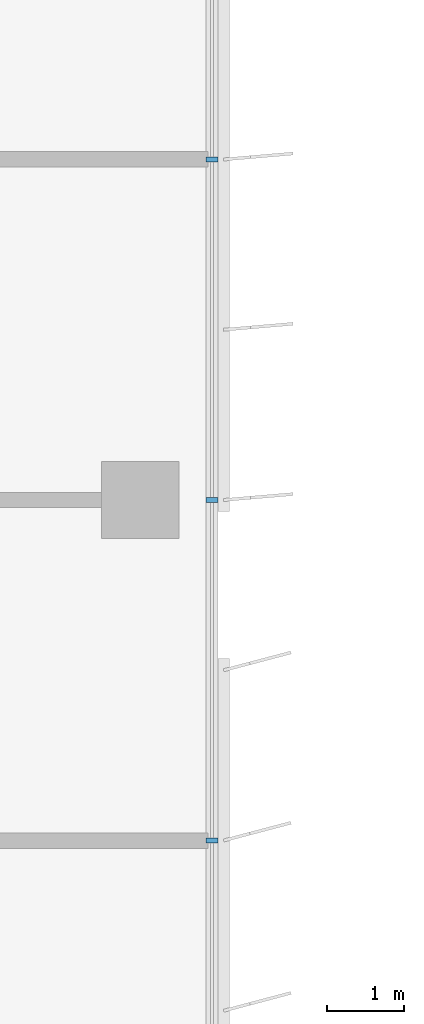
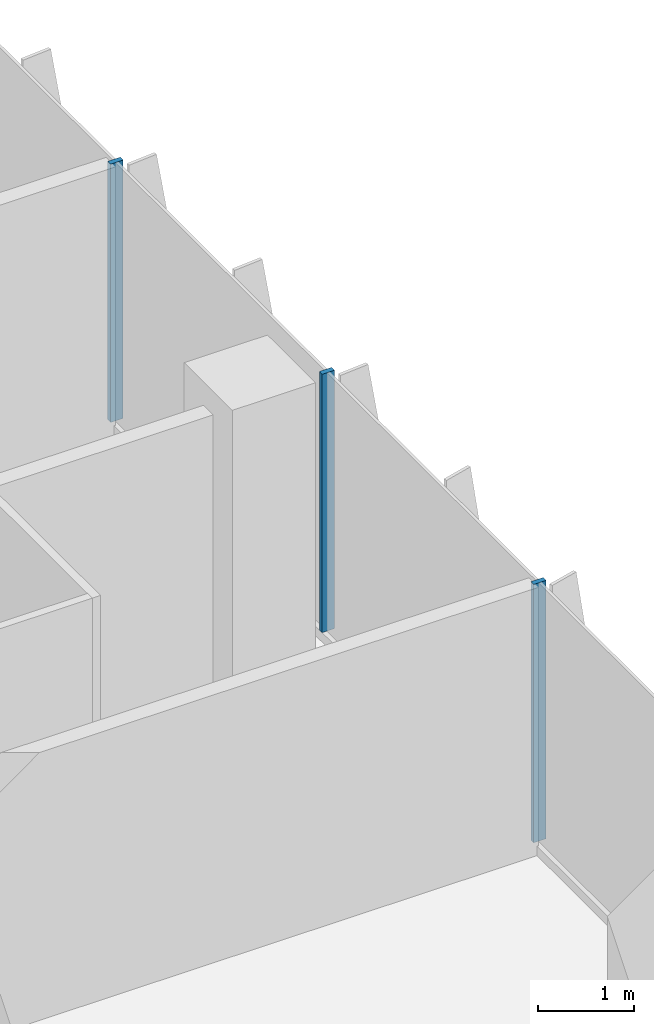
# One storey, part 5 of 21: 3 members, 1 element without a shape of its own.
"""IFC4 building model written with IfcOpenShell, lengths in metres."""

from ifc_helpers import new_model, si_unit, direction, frame, origin, origin_2d, place, context, subcontext, project, spatial, rectangle, extrude, source, transform, mapped, material, material_profile, profile_set, type_object, element, aggregate, save


model = new_model("IFC4")

# Units and contexts
model_context = context("Model", 3, precision=1e-05, world=origin(), true_north=direction((0.0, 1.0)))
body_context = subcontext(model_context, "Body", "Model", "MODEL_VIEW")
ifc_project = project(units=[si_unit("LENGTHUNIT", "METRE"), si_unit("AREAUNIT", "SQUARE_METRE"), si_unit("VOLUMEUNIT", "CUBIC_METRE"), si_unit("PLANEANGLEUNIT", "RADIAN"), si_unit("MASSUNIT", "GRAM", prefix="KILO")], contexts=[model_context])

# Site, building, storey
site_placement = place(None, origin())
site = spatial("IfcSite", under=ifc_project, at=site_placement, CompositionType="ELEMENT")
building_placement = place(site_placement, origin())
building = spatial("IfcBuilding", under=site, at=building_placement, Name="Kemantara Hotel Tower", CompositionType="ELEMENT")
storey_placement = place(building_placement, frame((0.0, 0.0, 156.800048828125)))
storey = spatial("IfcBuildingStorey", under=building, at=storey_placement, Name="L38", CompositionType="ELEMENT", Elevation=156.800048828125)

# Curtain wall, members
ifc_material_1 = material(Name="Low-E tinted double insulated glass 36 mm", Category="glass")
curtain_wall_type = type_object("IfcCurtainWallType", Name="TOWER CURTAIN WALL, FRONT FACES", PredefinedType="USERDEFINED", material=ifc_material_1)
curtain_wall_placement = place(storey_placement, origin())
curtain_wall = element("IfcCurtainWall", 1, at=curtain_wall_placement, inside=storey, type_object=curtain_wall_type, Name="CW4 L38 T3-R17-1", ObjectType="TOWER CURTAIN WALL, FRONT FACES", PredefinedType="USERDEFINED")
ifc_material_2 = material(Name="Aluminium 6063-T6 bronze anodised", Category="aluminium")
ifc_material_profile = material_profile(ifc_material_2, rectangle(XDim=0.14990234375, YDim=0.06005859375, at=origin_2d()), Name="TOWER CURTAIN WALL, FRONT FACES MULLION")
ifc_profile_set = profile_set([ifc_material_profile], Name="Aluminium 6063-T6 bronze anodised")
member_type = type_object("IfcMemberType", Name="TOWER CURTAIN WALL, FRONT FACES MULLION", PredefinedType="MULLION", material=ifc_profile_set)
shared_shape = source(origin(), body_context, "Body", "SweptSolid", [
    extrude(rectangle(XDim=0.14990234375, YDim=0.06005859375, at=origin_2d()), origin(), (0.0, 0.0, 1.0), 3.280029296875),
])
member_1_placement = place(storey_placement, frame((21.925048828125, 31.800048828125, 0.119873046875), z_axis=(0.0, 0.0, 1.0), x_axis=(-1.0, 0.0, 0.0)))
member_1 = element("IfcMember", 2, at=member_1_placement, type_object=member_type, Name="CW4 mullion T3-R17-1.3", PredefinedType="MULLION", context=body_context, shape_type="MappedRepresentation", body=[
    mapped(shared_shape, transform((0.0, 0.0, 0.0))),
])
member_2_placement = place(storey_placement, frame((21.925048828125, 36.199951171875, 0.119873046875), z_axis=(0.0, 0.0, 1.0), x_axis=(-1.0, 0.0, 0.0)))
member_2 = element("IfcMember", 3, at=member_2_placement, type_object=member_type, Name="CW4 mullion T3-R17-1.4", PredefinedType="MULLION", context=body_context, shape_type="MappedRepresentation", body=[
    mapped(shared_shape, transform((0.0, 0.0, 0.0))),
])
member_3_placement = place(storey_placement, frame((21.925048828125, 40.60009765625, 0.119873046875), z_axis=(0.0, 0.0, 1.0), x_axis=(-1.0, 0.0, 0.0)))
member_3 = element("IfcMember", 4, at=member_3_placement, type_object=member_type, Name="CW4 mullion T3-R17-1.5", PredefinedType="MULLION", context=body_context, shape_type="MappedRepresentation", body=[
    mapped(shared_shape, transform((0.0, 0.0, 0.0))),
])
aggregate(curtain_wall, [member_1, member_2, member_3])

save(model, "model.ifc")
